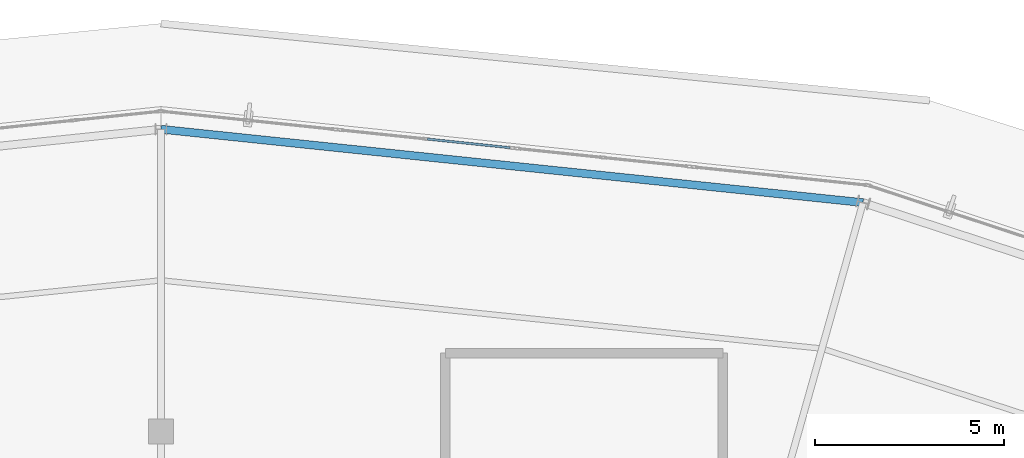
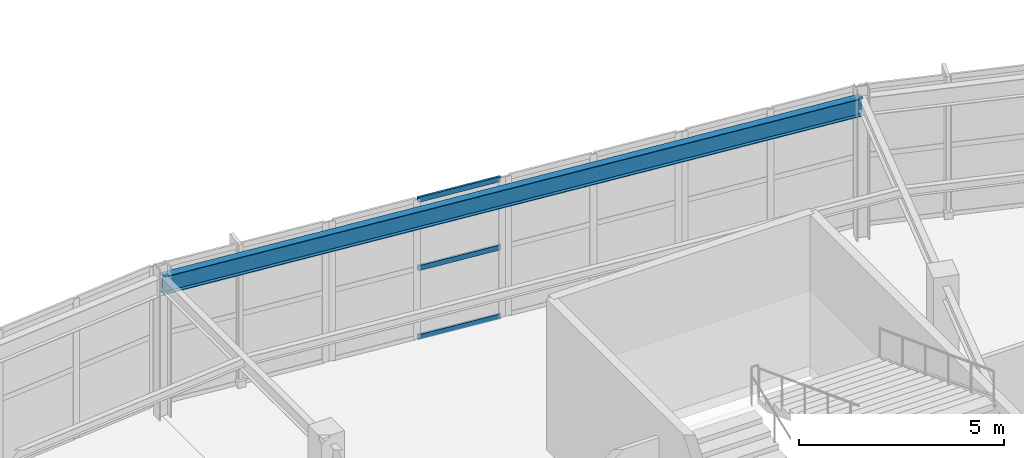
# One storey, part 73 of 126: 3 members, 1 beam, 1 element without a shape of its own.
"""IFC4 building model written with IfcOpenShell, lengths in metres."""

from ifc_helpers import new_model, si_unit, direction, frame, origin, origin_2d, place, context, subcontext, project, spatial, hollow_rectangle, i_section, extrude, material, layer, layer_set, material_profile, profile_set, type_object, element, aggregate, save


model = new_model("IFC4")

# Units and contexts
model_context = context("Model", 3, precision=1e-05, world=origin(), true_north=direction((0.0, 1.0)))
body_context = subcontext(model_context, "Body", "Model", "MODEL_VIEW")
ifc_project = project(units=[si_unit("LENGTHUNIT", "METRE"), si_unit("AREAUNIT", "SQUARE_METRE"), si_unit("VOLUMEUNIT", "CUBIC_METRE"), si_unit("PLANEANGLEUNIT", "RADIAN"), si_unit("MASSUNIT", "GRAM", prefix="KILO")], contexts=[model_context])

# Site, building, storey
site_placement = place(None, origin())
site = spatial("IfcSite", under=ifc_project, at=site_placement, CompositionType="ELEMENT")
building_placement = place(site_placement, origin())
building = spatial("IfcBuilding", under=site, at=building_placement, Name="Kalgoora Escarpment Arena", CompositionType="ELEMENT")
storey_placement = place(building_placement, frame((0.0, 0.0, 18.89990234375)))
storey = spatial("IfcBuildingStorey", under=building, at=storey_placement, Name="L04", CompositionType="ELEMENT", Elevation=18.89990234375)

# Beam
ifc_material_1 = material(Name="Structural steel AS/NZS 3679 (300 MPa)", Category="steel")
ifc_material_profile_1 = material_profile(ifc_material_1, i_section(OverallWidth=0.208984375, OverallDepth=0.532958984375, WebThickness=0.01025390625, FlangeThickness=0.015625, at=origin_2d()))
ifc_profile_set_1 = profile_set([ifc_material_profile_1], Name="Structural steel AS/NZS 3679 (300 MPa)")
beam_type = type_object("IfcBeamType", Name="BM-SPANDREL-530UB92.4", PredefinedType="SPANDREL", material=ifc_profile_set_1)
beam_placement = place(storey_placement, frame((110.983154296875, 119.057861328125, 3.943603515625), z_axis=(-0.994583146525, 0.103944045753, 0.0), x_axis=(-0.103944045753, -0.994583146525, 0.0)))
element("IfcBeam", 1, at=beam_placement, inside=storey, type_object=beam_type, Name="L04 Circumferential concourse girder RCONC2 530UB92.4", PredefinedType="SPANDREL", context=body_context, shape_type="SweptSolid", body=[
    extrude(i_section(OverallWidth=0.208984375, OverallDepth=0.532958984375, WebThickness=0.01025390625, FlangeThickness=0.015625, at=origin_2d()), origin(), (0.0, 0.0, 1.0), 18.6845703125),
])

# Curtain wall, members
ifc_material_2 = material(Name=" Champagne anodised aluminium & double-glazed low-E", Category="aluminium")
ifc_layer = layer(ifc_material_2, 0.166015625)
ifc_layer_set = layer_set([ifc_layer], Name="CW-UNIT-04")
curtain_wall_type = type_object("IfcCurtainWallType", Name="CW-UNIT-04", PredefinedType="NOTDEFINED", material=ifc_layer_set)
curtain_wall_placement = place(storey_placement, origin())
curtain_wall = element("IfcCurtainWall", 2, at=curtain_wall_placement, inside=storey, type_object=curtain_wall_type, Name="L04 unitised facade curtain wall 163", PredefinedType="NOTDEFINED")
ifc_material_3 = material(Name="Anodised aluminium 6063-T6", Category="aluminium")
ifc_material_profile_2 = material_profile(ifc_material_3, hollow_rectangle(XDim=0.06005859375, YDim=0.14990234375, WallThickness=0.00341796875, at=origin_2d()))
ifc_profile_set_2 = profile_set([ifc_material_profile_2], Name="Anodised aluminium 6063-T6")
member_type = type_object("IfcMemberType", Name="MEM-CW-TRAN-150", PredefinedType="USERDEFINED", material=ifc_profile_set_2)
member_1_placement = place(storey_placement, frame((99.44677734375, 120.7412109375, 0.050048828125), z_axis=(0.994558650699, -0.104178166236, 0.0), x_axis=(0.104178166236, 0.994558650699, 0.0)))
member_1 = element("IfcMember", 3, at=member_1_placement, type_object=member_type, Name="CW-04 transom 2.1", ObjectType="TRANSOM", PredefinedType="USERDEFINED", context=body_context, shape_type="SweptSolid", body=[
    extrude(hollow_rectangle(XDim=0.06005859375, YDim=0.14990234375, WallThickness=0.00341796875, at=origin_2d()), origin(), (0.0, 0.0, 1.0), 2.20751953125),
])
member_2_placement = place(storey_placement, frame((99.44677734375, 120.7412109375, 2.10498046875), z_axis=(0.994558650699, -0.104178166236, 0.0), x_axis=(0.104178166236, 0.994558650699, 0.0)))
member_2 = element("IfcMember", 4, at=member_2_placement, type_object=member_type, Name="CW-04 transom 2.2", ObjectType="TRANSOM", PredefinedType="USERDEFINED", context=body_context, shape_type="SweptSolid", body=[
    extrude(hollow_rectangle(XDim=0.06005859375, YDim=0.14990234375, WallThickness=0.00341796875, at=origin_2d()), origin(), (0.0, 0.0, 1.0), 2.20751953125),
])
member_3_placement = place(storey_placement, frame((99.44677734375, 120.7412109375, 4.14013671875), z_axis=(0.994558650699, -0.104178166236, 0.0), x_axis=(0.104178166236, 0.994558650699, 0.0)))
member_3 = element("IfcMember", 5, at=member_3_placement, type_object=member_type, Name="CW-04 transom 2.3", ObjectType="TRANSOM", PredefinedType="USERDEFINED", context=body_context, shape_type="SweptSolid", body=[
    extrude(hollow_rectangle(XDim=0.06005859375, YDim=0.14990234375, WallThickness=0.00341796875, at=origin_2d()), origin(), (0.0, 0.0, 1.0), 2.20751953125),
])
aggregate(curtain_wall, [member_1, member_2, member_3])

save(model, "model.ifc")
